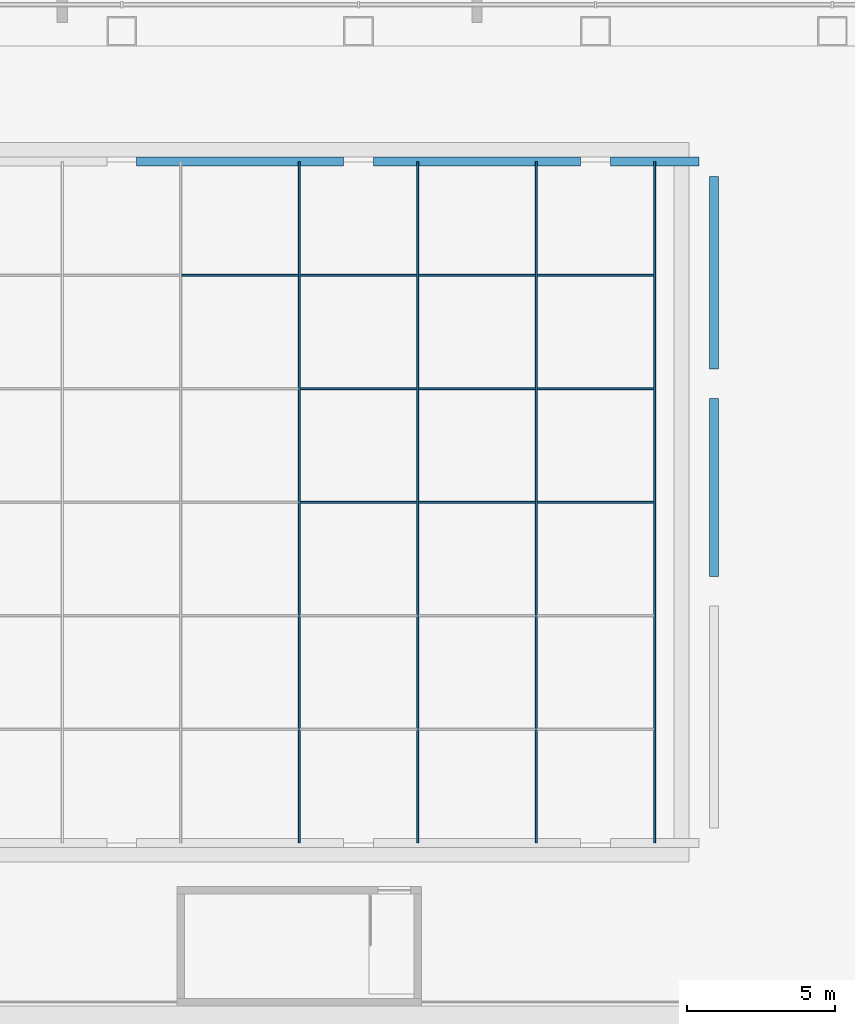
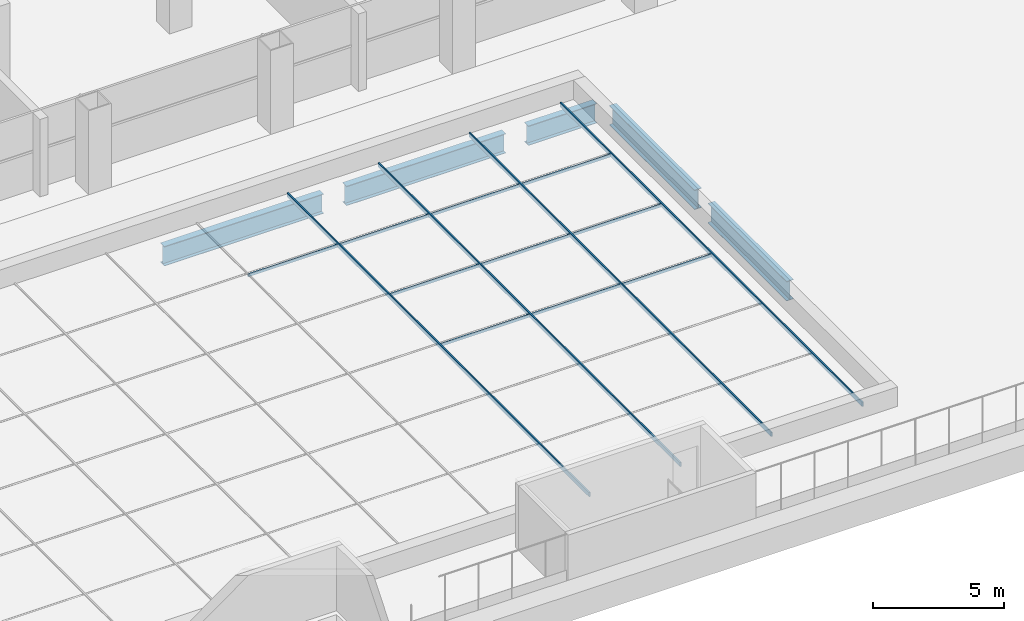
# One storey, part 2 of 16: 14 members, 5 beams, 1 element without a shape of its own.
"""IFC4 building model written with IfcOpenShell, lengths in metres."""

from ifc_helpers import new_model, si_unit, direction, frame, origin, origin_2d, place, context, subcontext, project, spatial, rectangle, i_section, extrude, material, material_profile, profile_set, type_object, element, aggregate, save


model = new_model("IFC4")

# Units and contexts
model_context = context("Model", 3, precision=1e-05, world=origin(), true_north=direction((0.0, 1.0)))
body_context = subcontext(model_context, "Body", "Model", "MODEL_VIEW")
ifc_project = project(units=[si_unit("LENGTHUNIT", "METRE"), si_unit("AREAUNIT", "SQUARE_METRE"), si_unit("VOLUMEUNIT", "CUBIC_METRE"), si_unit("PLANEANGLEUNIT", "RADIAN"), si_unit("MASSUNIT", "GRAM", prefix="KILO")], contexts=[model_context])

# Site, building, storey
site_placement = place(None, origin())
site = spatial("IfcSite", under=ifc_project, at=site_placement, CompositionType="ELEMENT")
building_placement = place(site_placement, origin())
building = spatial("IfcBuilding", under=site, at=building_placement, Name="Vidyagriha Tower", CompositionType="ELEMENT")
storey_placement = place(building_placement, frame((0.0, 0.0, 26.0)))
storey = spatial("IfcBuildingStorey", under=building, at=storey_placement, Name="L06", CompositionType="ELEMENT", Elevation=26.0)

# Beams
ifc_material_1 = material(Name="Steel ASTM A992 Grade 50", Category="steel")
ifc_material_profile_1 = material_profile(ifc_material_1, i_section(OverallWidth=0.303955078125, OverallDepth=0.911865234375, WebThickness=0.015869140625, FlangeThickness=0.02392578125, at=origin_2d()), Name="W36X150")
ifc_profile_set_1 = profile_set([ifc_material_profile_1], Name="Steel ASTM A992 Grade 50")
beam_type = type_object("IfcBeamType", Name="Atrium roof ring girder W36X150", PredefinedType="BEAM", material=ifc_profile_set_1)
for number, where, z_axis, x_axis, name in (
    (1, (2.5, -21.5, -0.755859375), (1.0, 0.0, 0.0), (0.0, 1.0, 0.0), "st-beam-L06-AT10"),
    (2, (10.5, -21.5, -0.755859375), (1.0, 0.0, 0.0), (0.0, 1.0, 0.0), "st-beam-L06-AT11"),
):
    element("IfcBeam", number, at=place(storey_placement, frame(where, z_axis=z_axis, x_axis=x_axis)), inside=storey, type_object=beam_type, Name=name, PredefinedType="BEAM", context=body_context, shape_type="SweptSolid", body=[
        extrude(i_section(OverallWidth=0.303955078125, OverallDepth=0.911865234375, WebThickness=0.015869140625, FlangeThickness=0.02392578125, at=origin_2d()), origin(), (0.0, 0.0, 1.0), 7.0),
    ])
beam_1_placement = place(storey_placement, frame((18.5, -21.5, -0.755859375), z_axis=(1.0, 0.0, 0.0), x_axis=(0.0, 1.0, 0.0)))
element("IfcBeam", 3, at=beam_1_placement, inside=storey, type_object=beam_type, Name="st-beam-L06-AT12", PredefinedType="BEAM", context=body_context, shape_type="SweptSolid", body=[
    extrude(i_section(OverallWidth=0.303955078125, OverallDepth=0.911865234375, WebThickness=0.015869140625, FlangeThickness=0.02392578125, at=origin_2d()), origin(), (0.0, 0.0, 1.0), 3.0),
])
beam_2_placement = place(storey_placement, frame((22.0, -35.5, -0.755859375), z_axis=(0.0, 1.0, 0.0), x_axis=(-1.0, 0.0, 0.0)))
element("IfcBeam", 4, at=beam_2_placement, inside=storey, type_object=beam_type, Name="st-beam-L06-AT17", PredefinedType="BEAM", context=body_context, shape_type="SweptSolid", body=[
    extrude(i_section(OverallWidth=0.303955078125, OverallDepth=0.911865234375, WebThickness=0.015869140625, FlangeThickness=0.02392578125, at=origin_2d()), origin(), (0.0, 0.0, 1.0), 6.0),
])
beam_3_placement = place(storey_placement, frame((22.0, -28.5, -0.755859375), z_axis=(0.0, 1.0, 0.0), x_axis=(-1.0, 0.0, 0.0)))
element("IfcBeam", 5, at=beam_3_placement, inside=storey, type_object=beam_type, Name="st-beam-L06-AT18", PredefinedType="BEAM", context=body_context, shape_type="SweptSolid", body=[
    extrude(i_section(OverallWidth=0.303955078125, OverallDepth=0.911865234375, WebThickness=0.015869140625, FlangeThickness=0.02392578125, at=origin_2d()), origin(), (0.0, 0.0, 1.0), 6.5),
])

# Curtain wall, members
ifc_material_2 = material(Name="Aluminium and glass curtain wall", Category="aluminium")
curtain_wall_type = type_object("IfcCurtainWallType", Name="Atrium rooflight curtain wall", PredefinedType="USERDEFINED", material=ifc_material_2)
curtain_wall_placement = place(storey_placement, origin())
curtain_wall = element("IfcCurtainWall", 6, at=curtain_wall_placement, inside=storey, type_object=curtain_wall_type, Name="CW8 atrium rooflight", ObjectType="STICK GLAZING", PredefinedType="USERDEFINED")
ifc_material_3 = material(Name="Aluminium black anodised", Category="aluminium")
ifc_material_profile_2 = material_profile(ifc_material_3, rectangle(XDim=0.06005859375, YDim=0.199951171875, at=origin_2d()), Name="Rooflight glazing bar 60x200 black aluminium")
ifc_profile_set_2 = profile_set([ifc_material_profile_2], Name="Aluminium black anodised")
member_type_1 = type_object("IfcMemberType", Name="Rooflight glazing bar 60x200 black aluminium", PredefinedType="MULLION", material=ifc_profile_set_2)
member_1_placement = place(storey_placement, frame((8.0, -44.5, 0.10009765625), z_axis=(0.0, 1.0, 0.0), x_axis=(-1.0, 0.0, 0.0)))
member_1 = element("IfcMember", 7, at=member_1_placement, type_object=member_type_1, Name="Rooflight bar 8", PredefinedType="MULLION", context=body_context, shape_type="SweptSolid", body=[
    extrude(rectangle(XDim=0.06005859375, YDim=0.199951171875, at=origin_2d()), origin(), (0.0, 0.0, 1.0), 23.0),
])
member_2_placement = place(storey_placement, frame((12.0, -44.5, 0.10009765625), z_axis=(0.0, 1.0, 0.0), x_axis=(-1.0, 0.0, 0.0)))
member_2 = element("IfcMember", 8, at=member_2_placement, type_object=member_type_1, Name="Rooflight bar 9", PredefinedType="MULLION", context=body_context, shape_type="SweptSolid", body=[
    extrude(rectangle(XDim=0.06005859375, YDim=0.199951171875, at=origin_2d()), origin(), (0.0, 0.0, 1.0), 23.0),
])
member_3_placement = place(storey_placement, frame((16.0, -44.5, 0.10009765625), z_axis=(0.0, 1.0, 0.0), x_axis=(-1.0, 0.0, 0.0)))
member_3 = element("IfcMember", 9, at=member_3_placement, type_object=member_type_1, Name="Rooflight bar 10", PredefinedType="MULLION", context=body_context, shape_type="SweptSolid", body=[
    extrude(rectangle(XDim=0.06005859375, YDim=0.199951171875, at=origin_2d()), origin(), (0.0, 0.0, 1.0), 23.0),
])
member_4_placement = place(storey_placement, frame((20.0, -44.5, 0.10009765625), z_axis=(0.0, 1.0, 0.0), x_axis=(-1.0, 0.0, 0.0)))
member_4 = element("IfcMember", 10, at=member_4_placement, type_object=member_type_1, Name="Rooflight bar 11", PredefinedType="MULLION", context=body_context, shape_type="SweptSolid", body=[
    extrude(rectangle(XDim=0.06005859375, YDim=0.199951171875, at=origin_2d()), origin(), (0.0, 0.0, 1.0), 23.0),
])
ifc_material_4 = material(Name="Aluminium black anodised", Category="aluminium")
ifc_material_profile_3 = material_profile(ifc_material_4, rectangle(XDim=0.06005859375, YDim=0.1201171875, at=origin_2d()), Name="Rooflight transverse bar 60x120 black aluminium")
ifc_profile_set_3 = profile_set([ifc_material_profile_3], Name="Aluminium black anodised")
member_type_2 = type_object("IfcMemberType", Name="Rooflight transverse bar 60x120 black aluminium", PredefinedType="USERDEFINED", material=ifc_profile_set_3)
member_5_placement = place(storey_placement, frame((4.030029296875, -25.333251953125, 0.06005859375), z_axis=(1.0, 0.0, 0.0), x_axis=(0.0, 1.0, 0.0)))
member_5 = element("IfcMember", 11, at=member_5_placement, type_object=member_type_2, Name="Rooflight transverse bar 7.5", ObjectType="TRANSOM", PredefinedType="USERDEFINED", context=body_context, shape_type="SweptSolid", body=[
    extrude(rectangle(XDim=0.06005859375, YDim=0.1201171875, at=origin_2d()), origin(), (0.0, 0.0, 1.0), 3.93994140625),
])
member_6_placement = place(storey_placement, frame((8.030029296875, -33.0, 0.06005859375), z_axis=(1.0, 0.0, 0.0), x_axis=(0.0, 1.0, 0.0)))
member_6 = element("IfcMember", 12, at=member_6_placement, type_object=member_type_2, Name="Rooflight transverse bar 8.3", ObjectType="TRANSOM", PredefinedType="USERDEFINED", context=body_context, shape_type="SweptSolid", body=[
    extrude(rectangle(XDim=0.06005859375, YDim=0.1201171875, at=origin_2d()), origin(), (0.0, 0.0, 1.0), 3.93994140625),
])
member_7_placement = place(storey_placement, frame((8.030029296875, -29.166748046875, 0.06005859375), z_axis=(1.0, 0.0, 0.0), x_axis=(0.0, 1.0, 0.0)))
member_7 = element("IfcMember", 13, at=member_7_placement, type_object=member_type_2, Name="Rooflight transverse bar 8.4", ObjectType="TRANSOM", PredefinedType="USERDEFINED", context=body_context, shape_type="SweptSolid", body=[
    extrude(rectangle(XDim=0.06005859375, YDim=0.1201171875, at=origin_2d()), origin(), (0.0, 0.0, 1.0), 3.93994140625),
])
member_8_placement = place(storey_placement, frame((8.030029296875, -25.333251953125, 0.06005859375), z_axis=(1.0, 0.0, 0.0), x_axis=(0.0, 1.0, 0.0)))
member_8 = element("IfcMember", 14, at=member_8_placement, type_object=member_type_2, Name="Rooflight transverse bar 8.5", ObjectType="TRANSOM", PredefinedType="USERDEFINED", context=body_context, shape_type="SweptSolid", body=[
    extrude(rectangle(XDim=0.06005859375, YDim=0.1201171875, at=origin_2d()), origin(), (0.0, 0.0, 1.0), 3.93994140625),
])
member_9_placement = place(storey_placement, frame((12.030029296875, -33.0, 0.06005859375), z_axis=(1.0, 0.0, 0.0), x_axis=(0.0, 1.0, 0.0)))
member_9 = element("IfcMember", 15, at=member_9_placement, type_object=member_type_2, Name="Rooflight transverse bar 9.3", ObjectType="TRANSOM", PredefinedType="USERDEFINED", context=body_context, shape_type="SweptSolid", body=[
    extrude(rectangle(XDim=0.06005859375, YDim=0.1201171875, at=origin_2d()), origin(), (0.0, 0.0, 1.0), 3.93994140625),
])
member_10_placement = place(storey_placement, frame((12.030029296875, -29.166748046875, 0.06005859375), z_axis=(1.0, 0.0, 0.0), x_axis=(0.0, 1.0, 0.0)))
member_10 = element("IfcMember", 16, at=member_10_placement, type_object=member_type_2, Name="Rooflight transverse bar 9.4", ObjectType="TRANSOM", PredefinedType="USERDEFINED", context=body_context, shape_type="SweptSolid", body=[
    extrude(rectangle(XDim=0.06005859375, YDim=0.1201171875, at=origin_2d()), origin(), (0.0, 0.0, 1.0), 3.93994140625),
])
member_11_placement = place(storey_placement, frame((12.030029296875, -25.333251953125, 0.06005859375), z_axis=(1.0, 0.0, 0.0), x_axis=(0.0, 1.0, 0.0)))
member_11 = element("IfcMember", 17, at=member_11_placement, type_object=member_type_2, Name="Rooflight transverse bar 9.5", ObjectType="TRANSOM", PredefinedType="USERDEFINED", context=body_context, shape_type="SweptSolid", body=[
    extrude(rectangle(XDim=0.06005859375, YDim=0.1201171875, at=origin_2d()), origin(), (0.0, 0.0, 1.0), 3.93994140625),
])
member_12_placement = place(storey_placement, frame((16.030029296875, -33.0, 0.06005859375), z_axis=(1.0, 0.0, 0.0), x_axis=(0.0, 1.0, 0.0)))
member_12 = element("IfcMember", 18, at=member_12_placement, type_object=member_type_2, Name="Rooflight transverse bar 10.3", ObjectType="TRANSOM", PredefinedType="USERDEFINED", context=body_context, shape_type="SweptSolid", body=[
    extrude(rectangle(XDim=0.06005859375, YDim=0.1201171875, at=origin_2d()), origin(), (0.0, 0.0, 1.0), 3.93994140625),
])
member_13_placement = place(storey_placement, frame((16.030029296875, -29.166748046875, 0.06005859375), z_axis=(1.0, 0.0, 0.0), x_axis=(0.0, 1.0, 0.0)))
member_13 = element("IfcMember", 19, at=member_13_placement, type_object=member_type_2, Name="Rooflight transverse bar 10.4", ObjectType="TRANSOM", PredefinedType="USERDEFINED", context=body_context, shape_type="SweptSolid", body=[
    extrude(rectangle(XDim=0.06005859375, YDim=0.1201171875, at=origin_2d()), origin(), (0.0, 0.0, 1.0), 3.93994140625),
])
member_14_placement = place(storey_placement, frame((16.030029296875, -25.333251953125, 0.06005859375), z_axis=(1.0, 0.0, 0.0), x_axis=(0.0, 1.0, 0.0)))
member_14 = element("IfcMember", 20, at=member_14_placement, type_object=member_type_2, Name="Rooflight transverse bar 10.5", ObjectType="TRANSOM", PredefinedType="USERDEFINED", context=body_context, shape_type="SweptSolid", body=[
    extrude(rectangle(XDim=0.06005859375, YDim=0.1201171875, at=origin_2d()), origin(), (0.0, 0.0, 1.0), 3.93994140625),
])
aggregate(curtain_wall, [member_1, member_2, member_3, member_4, member_5, member_6, member_7, member_8, member_9, member_10, member_11, member_12, member_13, member_14])

save(model, "model.ifc")
